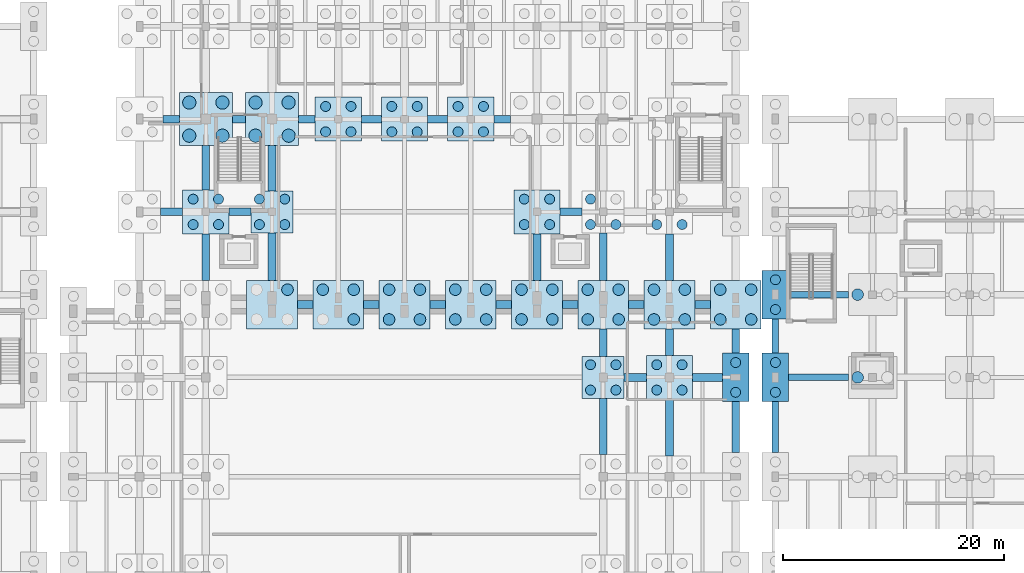
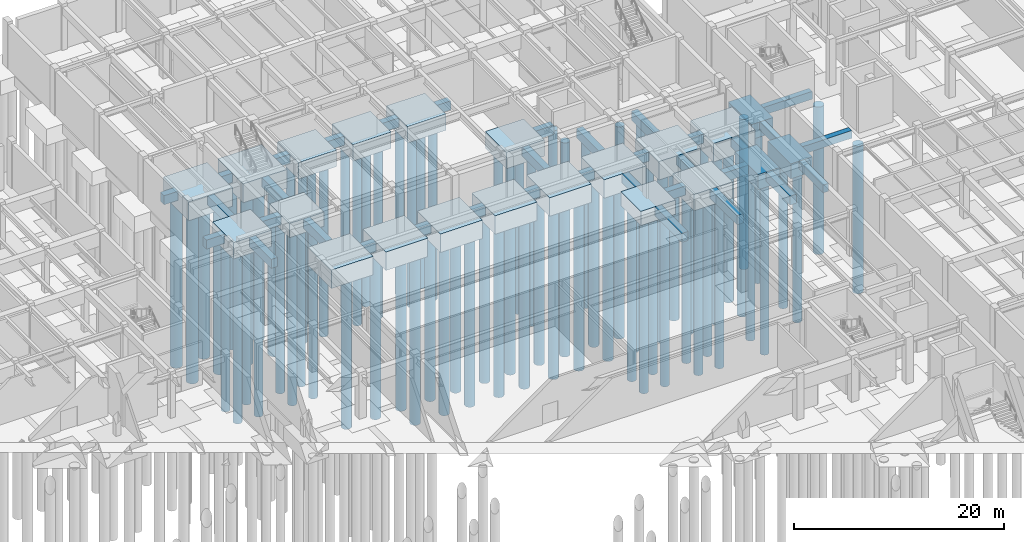
# One storey, part 7 of 69: 81 piles, 56 footings.
"""IFC4 building model written with IfcOpenShell, lengths in metres."""

from ifc_helpers import new_model, si_unit, direction, frame, origin, origin_2d, place, context, subcontext, project, spatial, rectangle, circle, extrude, material, material_profile, profile_set, type_object, element, save


model = new_model("IFC4")

# Units and contexts
model_context = context("Model", 3, precision=1e-05, world=origin(), true_north=direction((0.0, 1.0)))
body_context = subcontext(model_context, "Body", "Model", "MODEL_VIEW")
ifc_project = project(units=[si_unit("LENGTHUNIT", "METRE"), si_unit("AREAUNIT", "SQUARE_METRE"), si_unit("VOLUMEUNIT", "CUBIC_METRE"), si_unit("PLANEANGLEUNIT", "RADIAN"), si_unit("MASSUNIT", "GRAM", prefix="KILO")], contexts=[model_context])

# Site, building, storey
site_placement = place(None, origin())
site = spatial("IfcSite", under=ifc_project, at=site_placement, CompositionType="ELEMENT")
building_placement = place(site_placement, origin())
building = spatial("IfcBuilding", under=site, at=building_placement, Name="Vaelkrest Opera House", CompositionType="ELEMENT")
storey_placement = place(building_placement, frame((0.0, 0.0, -5.39990234375)))
storey = spatial("IfcBuildingStorey", under=building, at=storey_placement, Name="B1", CompositionType="ELEMENT", Elevation=-5.39990234375)

# Footings
ifc_material = material(Name="Concrete C40/50", Category="concrete")
footing_type_1 = type_object("IfcFootingType", Name="FB01", PredefinedType="FOOTING_BEAM", material=ifc_material)
for number, where, z_axis, x_axis, name in (
    (1, (37.5, 10.199951171875, -0.900146484375), (0.0, 0.0, 1.0), (1.0, 0.0, 0.0), "Footing tie beam FT-GB-0317"),
    (2, (37.5, 17.699951171875, -0.900146484375), (0.0, 0.0, 1.0), (1.0, 0.0, 0.0), "Footing tie beam FT-GB-0321"),
):
    element("IfcFooting", number, at=place(storey_placement, frame(where, z_axis=z_axis, x_axis=x_axis)), inside=storey, type_object=footing_type_1, Name=name, PredefinedType="FOOTING_BEAM", context=body_context, shape_type="SweptSolid", body=[
        extrude(rectangle(XDim=5.39990234375, YDim=0.60009765625, at=origin_2d()), origin(), (0.0, 0.0, 1.0), 0.89990234375),
    ])
footing_1_placement = place(storey_placement, frame((33.60009765625, 5.699951171875, -0.900146484375), z_axis=(0.0, 0.0, 1.0), x_axis=(0.0, 1.0, 0.0)))
element("IfcFooting", 3, at=footing_1_placement, inside=storey, type_object=footing_type_1, Name="Footing tie beam FT-GB-0343", PredefinedType="FOOTING_BEAM", context=body_context, shape_type="SweptSolid", body=[
    extrude(rectangle(XDim=4.60009765625, YDim=0.60009765625, at=origin_2d()), origin(), (0.0, 0.0, 1.0), 0.89990234375),
])
footing_2_placement = place(storey_placement, frame((33.60009765625, 13.949951171875, -0.900146484375), z_axis=(0.0, 0.0, 1.0), x_axis=(0.0, 1.0, 0.0)))
element("IfcFooting", 4, at=footing_2_placement, inside=storey, type_object=footing_type_1, Name="Footing tie beam FT-GB-0344", PredefinedType="FOOTING_BEAM", context=body_context, shape_type="SweptSolid", body=[
    extrude(rectangle(XDim=3.10009765625, YDim=0.60009765625, at=origin_2d()), origin(), (0.0, 0.0, 1.0), 0.89990234375),
])
footing_type_2 = type_object("IfcFootingType", Name="FB02", PredefinedType="FOOTING_BEAM", material=ifc_material)
footing_3_placement = place(storey_placement, frame((20.89990234375, 10.199951171875, -1.05029296875), z_axis=(0.0, 0.0, 1.0), x_axis=(1.0, 0.0, 0.0)))
element("IfcFooting", 5, at=footing_3_placement, inside=storey, type_object=footing_type_2, Name="Footing tie beam FT-GB-0045", PredefinedType="FOOTING_BEAM", context=body_context, shape_type="SweptSolid", body=[
    extrude(rectangle(XDim=2.0, YDim=0.699951171875, at=origin_2d()), origin(), (0.0, 0.0, 1.0), 1.050048828125),
])
footing_4_placement = place(storey_placement, frame((27.449951171875, 10.199951171875, -1.05029296875), z_axis=(0.0, 0.0, 1.0), x_axis=(1.0, 0.0, 0.0)))
element("IfcFooting", 6, at=footing_4_placement, inside=storey, type_object=footing_type_2, Name="Footing tie beam FT-GB-0046", PredefinedType="FOOTING_BEAM", context=body_context, shape_type="SweptSolid", body=[
    extrude(rectangle(XDim=2.699951171875, YDim=0.699951171875, at=origin_2d()), origin(), (0.0, 0.0, 1.0), 1.050048828125),
])
for number, where, z_axis, x_axis, name in (
    (7, (-9.0, 16.800048828125, -1.05029296875), (0.0, 0.0, 1.0), (1.0, 0.0, 0.0), "Footing tie beam FT-GB-0049"),
    (8, (-3.0, 16.800048828125, -1.05029296875), (0.0, 0.0, 1.0), (1.0, 0.0, 0.0), "Footing tie beam FT-GB-0050"),
    (9, (3.0, 16.800048828125, -1.05029296875), (0.0, 0.0, 1.0), (1.0, 0.0, 0.0), "Footing tie beam FT-GB-0051"),
    (10, (9.0, 16.800048828125, -1.05029296875), (0.0, 0.0, 1.0), (1.0, 0.0, 0.0), "Footing tie beam FT-GB-0052"),
    (11, (15.0, 16.800048828125, -1.05029296875), (0.0, 0.0, 1.0), (1.0, 0.0, 0.0), "Footing tie beam FT-GB-0053"),
    (12, (21.0, 16.800048828125, -1.05029296875), (0.0, 0.0, 1.0), (1.0, 0.0, 0.0), "Footing tie beam FT-GB-0054"),
    (13, (27.0, 16.800048828125, -1.05029296875), (0.0, 0.0, 1.0), (1.0, 0.0, 0.0), "Footing tie beam FT-GB-0055"),
):
    element("IfcFooting", number, at=place(storey_placement, frame(where, z_axis=z_axis, x_axis=x_axis)), inside=storey, type_object=footing_type_2, Name=name, PredefinedType="FOOTING_BEAM", context=body_context, shape_type="SweptSolid", body=[
        extrude(rectangle(XDim=1.39990234375, YDim=0.699951171875, at=origin_2d()), origin(), (0.0, 0.0, 1.0), 1.050048828125),
    ])
footing_5_placement = place(storey_placement, frame((18.0, 5.75, -1.05029296875), z_axis=(0.0, 0.0, 1.0), x_axis=(0.0, 1.0, 0.0)))
element("IfcFooting", 14, at=footing_5_placement, inside=storey, type_object=footing_type_2, Name="Footing tie beam FT-GB-0089", PredefinedType="FOOTING_BEAM", context=body_context, shape_type="SweptSolid", body=[
    extrude(rectangle(XDim=5.10009765625, YDim=0.699951171875, at=origin_2d()), origin(), (0.0, 0.0, 1.0), 1.050048828125),
])
footing_6_placement = place(storey_placement, frame((18.0, 13.35009765625, -1.05029296875), z_axis=(0.0, 0.0, 1.0), x_axis=(0.0, 1.0, 0.0)))
element("IfcFooting", 15, at=footing_6_placement, inside=storey, type_object=footing_type_2, Name="Footing tie beam FT-GB-0090", PredefinedType="FOOTING_BEAM", context=body_context, shape_type="SweptSolid", body=[
    extrude(rectangle(XDim=2.5, YDim=0.699951171875, at=origin_2d()), origin(), (0.0, 0.0, 1.0), 1.050048828125),
])
footing_7_placement = place(storey_placement, frame((24.0, 5.64990234375, -1.05029296875), z_axis=(0.0, 0.0, 1.0), x_axis=(0.0, 1.0, 0.0)))
element("IfcFooting", 16, at=footing_7_placement, inside=storey, type_object=footing_type_2, Name="Footing tie beam FT-GB-0094", PredefinedType="FOOTING_BEAM", context=body_context, shape_type="SweptSolid", body=[
    extrude(rectangle(XDim=5.10009765625, YDim=0.699951171875, at=origin_2d()), origin(), (0.0, 0.0, 1.0), 1.050048828125),
])
footing_8_placement = place(storey_placement, frame((24.0, 13.39990234375, -1.05029296875), z_axis=(0.0, 0.0, 1.0), x_axis=(0.0, 1.0, 0.0)))
element("IfcFooting", 17, at=footing_8_placement, inside=storey, type_object=footing_type_2, Name="Footing tie beam FT-GB-0095", PredefinedType="FOOTING_BEAM", context=body_context, shape_type="SweptSolid", body=[
    extrude(rectangle(XDim=2.39990234375, YDim=0.699951171875, at=origin_2d()), origin(), (0.0, 0.0, 1.0), 1.050048828125),
])
footing_9_placement = place(storey_placement, frame((30.0, 5.699951171875, -1.05029296875), z_axis=(0.0, 0.0, 1.0), x_axis=(0.0, 1.0, 0.0)))
element("IfcFooting", 18, at=footing_9_placement, inside=storey, type_object=footing_type_2, Name="Footing tie beam FT-GB-0102", PredefinedType="FOOTING_BEAM", context=body_context, shape_type="SweptSolid", body=[
    extrude(rectangle(XDim=4.60009765625, YDim=0.699951171875, at=origin_2d()), origin(), (0.0, 0.0, 1.0), 1.050048828125),
])
footing_10_placement = place(storey_placement, frame((30.0, 13.5, -1.05029296875), z_axis=(0.0, 0.0, 1.0), x_axis=(0.0, 1.0, 0.0)))
element("IfcFooting", 19, at=footing_10_placement, inside=storey, type_object=footing_type_2, Name="Footing tie beam FT-GB-0103", PredefinedType="FOOTING_BEAM", context=body_context, shape_type="SweptSolid", body=[
    extrude(rectangle(XDim=2.199951171875, YDim=0.699951171875, at=origin_2d()), origin(), (0.0, 0.0, 1.0), 1.050048828125),
])
for number, where, z_axis, x_axis, name in (
    (20, (-21.10009765625, 25.199951171875, -1.05029296875), (0.0, 0.0, 1.0), (1.0, 0.0, 0.0), "Footing tie beam FT-GB-0104"),
    (21, (-14.89990234375, 25.199951171875, -1.05029296875), (0.0, 0.0, 1.0), (1.0, 0.0, 0.0), "Footing tie beam FT-GB-0105"),
    (22, (15.10009765625, 25.199951171875, -1.05029296875), (0.0, 0.0, 1.0), (1.0, 0.0, 0.0), "Footing tie beam FT-GB-0106"),
):
    element("IfcFooting", number, at=place(storey_placement, frame(where, z_axis=z_axis, x_axis=x_axis)), inside=storey, type_object=footing_type_2, Name=name, PredefinedType="FOOTING_BEAM", context=body_context, shape_type="SweptSolid", body=[
        extrude(rectangle(XDim=2.0, YDim=0.699951171875, at=origin_2d()), origin(), (0.0, 0.0, 1.0), 1.050048828125),
    ])
footing_11_placement = place(storey_placement, frame((-21.14990234375, 33.60009765625, -1.05029296875), z_axis=(0.0, 0.0, 1.0), x_axis=(1.0, 0.0, 0.0)))
element("IfcFooting", 23, at=footing_11_placement, inside=storey, type_object=footing_type_2, Name="Footing tie beam FT-GB-0109", PredefinedType="FOOTING_BEAM", context=body_context, shape_type="SweptSolid", body=[
    extrude(rectangle(XDim=1.5, YDim=0.699951171875, at=origin_2d()), origin(), (0.0, 0.0, 1.0), 1.050048828125),
])
footing_12_placement = place(storey_placement, frame((-15.0, 33.60009765625, -1.05029296875), z_axis=(0.0, 0.0, 1.0), x_axis=(1.0, 0.0, 0.0)))
element("IfcFooting", 24, at=footing_12_placement, inside=storey, type_object=footing_type_2, Name="Footing tie beam FT-GB-0110", PredefinedType="FOOTING_BEAM", context=body_context, shape_type="SweptSolid", body=[
    extrude(rectangle(XDim=1.199951171875, YDim=0.699951171875, at=origin_2d()), origin(), (0.0, 0.0, 1.0), 1.050048828125),
])
footing_13_placement = place(storey_placement, frame((-8.85009765625, 33.60009765625, -1.05029296875), z_axis=(0.0, 0.0, 1.0), x_axis=(1.0, 0.0, 0.0)))
element("IfcFooting", 25, at=footing_13_placement, inside=storey, type_object=footing_type_2, Name="Footing tie beam FT-GB-0111", PredefinedType="FOOTING_BEAM", context=body_context, shape_type="SweptSolid", body=[
    extrude(rectangle(XDim=1.5, YDim=0.699951171875, at=origin_2d()), origin(), (0.0, 0.0, 1.0), 1.050048828125),
])
for number, where, z_axis, x_axis, name in (
    (26, (-3.0, 33.60009765625, -1.05029296875), (0.0, 0.0, 1.0), (1.0, 0.0, 0.0), "Footing tie beam FT-GB-0112"),
    (27, (3.0, 33.60009765625, -1.05029296875), (0.0, 0.0, 1.0), (1.0, 0.0, 0.0), "Footing tie beam FT-GB-0113"),
):
    element("IfcFooting", number, at=place(storey_placement, frame(where, z_axis=z_axis, x_axis=x_axis)), inside=storey, type_object=footing_type_2, Name=name, PredefinedType="FOOTING_BEAM", context=body_context, shape_type="SweptSolid", body=[
        extrude(rectangle(XDim=1.800048828125, YDim=0.699951171875, at=origin_2d()), origin(), (0.0, 0.0, 1.0), 1.050048828125),
    ])
footing_14_placement = place(storey_placement, frame((8.85009765625, 33.60009765625, -1.05029296875), z_axis=(0.0, 0.0, 1.0), x_axis=(1.0, 0.0, 0.0)))
element("IfcFooting", 28, at=footing_14_placement, inside=storey, type_object=footing_type_2, Name="Footing tie beam FT-GB-0114", PredefinedType="FOOTING_BEAM", context=body_context, shape_type="SweptSolid", body=[
    extrude(rectangle(XDim=1.5, YDim=0.699951171875, at=origin_2d()), origin(), (0.0, 0.0, 1.0), 1.050048828125),
])
footing_15_placement = place(storey_placement, frame((-18.0, 21.10009765625, -1.05029296875), z_axis=(0.0, 0.0, 1.0), x_axis=(0.0, 1.0, 0.0)))
element("IfcFooting", 29, at=footing_15_placement, inside=storey, type_object=footing_type_2, Name="Footing tie beam FT-GB-0150", PredefinedType="FOOTING_BEAM", context=body_context, shape_type="SweptSolid", body=[
    extrude(rectangle(XDim=4.199951171875, YDim=0.699951171875, at=origin_2d()), origin(), (0.0, 0.0, 1.0), 1.050048828125),
])
footing_16_placement = place(storey_placement, frame((-18.0, 29.199951171875, -1.05029296875), z_axis=(0.0, 0.0, 1.0), x_axis=(0.0, 1.0, 0.0)))
element("IfcFooting", 30, at=footing_16_placement, inside=storey, type_object=footing_type_2, Name="Footing tie beam FT-GB-0151", PredefinedType="FOOTING_BEAM", context=body_context, shape_type="SweptSolid", body=[
    extrude(rectangle(XDim=4.0, YDim=0.699951171875, at=origin_2d()), origin(), (0.0, 0.0, 1.0), 1.050048828125),
])
footing_17_placement = place(storey_placement, frame((-12.0, 21.14990234375, -1.05029296875), z_axis=(0.0, 0.0, 1.0), x_axis=(0.0, 1.0, 0.0)))
element("IfcFooting", 31, at=footing_17_placement, inside=storey, type_object=footing_type_2, Name="Footing tie beam FT-GB-0155", PredefinedType="FOOTING_BEAM", context=body_context, shape_type="SweptSolid", body=[
    extrude(rectangle(XDim=4.300048828125, YDim=0.699951171875, at=origin_2d()), origin(), (0.0, 0.0, 1.0), 1.050048828125),
])
footing_18_placement = place(storey_placement, frame((-12.0, 29.14990234375, -1.05029296875), z_axis=(0.0, 0.0, 1.0), x_axis=(0.0, 1.0, 0.0)))
element("IfcFooting", 32, at=footing_18_placement, inside=storey, type_object=footing_type_2, Name="Footing tie beam FT-GB-0156", PredefinedType="FOOTING_BEAM", context=body_context, shape_type="SweptSolid", body=[
    extrude(rectangle(XDim=4.10009765625, YDim=0.699951171875, at=origin_2d()), origin(), (0.0, 0.0, 1.0), 1.050048828125),
])
footing_19_placement = place(storey_placement, frame((12.0, 21.10009765625, -1.05029296875), z_axis=(0.0, 0.0, 1.0), x_axis=(0.0, 1.0, 0.0)))
element("IfcFooting", 33, at=footing_19_placement, inside=storey, type_object=footing_type_2, Name="Footing tie beam FT-GB-0169", PredefinedType="FOOTING_BEAM", context=body_context, shape_type="SweptSolid", body=[
    extrude(rectangle(XDim=4.199951171875, YDim=0.699951171875, at=origin_2d()), origin(), (0.0, 0.0, 1.0), 1.050048828125),
])
footing_20_placement = place(storey_placement, frame((18.0, 21.14990234375, -1.05029296875), z_axis=(0.0, 0.0, 1.0), x_axis=(0.0, 1.0, 0.0)))
element("IfcFooting", 34, at=footing_20_placement, inside=storey, type_object=footing_type_2, Name="Footing tie beam FT-GB-0174", PredefinedType="FOOTING_BEAM", context=body_context, shape_type="SweptSolid", body=[
    extrude(rectangle(XDim=4.300048828125, YDim=0.699951171875, at=origin_2d()), origin(), (0.0, 0.0, 1.0), 1.050048828125),
])
footing_21_placement = place(storey_placement, frame((24.0, 21.10009765625, -1.05029296875), z_axis=(0.0, 0.0, 1.0), x_axis=(0.0, 1.0, 0.0)))
element("IfcFooting", 35, at=footing_21_placement, inside=storey, type_object=footing_type_2, Name="Footing tie beam FT-GB-0179", PredefinedType="FOOTING_BEAM", context=body_context, shape_type="SweptSolid", body=[
    extrude(rectangle(XDim=4.199951171875, YDim=0.699951171875, at=origin_2d()), origin(), (0.0, 0.0, 1.0), 1.050048828125),
])
footing_type_3 = type_object("IfcFootingType", Name="PC02", PredefinedType="PILE_CAP", material=ifc_material)
for number, where, z_axis, x_axis, name in (
    (36, (18.0, 10.199951171875, -1.650146484375), (0.0, 0.0, 1.0), (1.0, 0.0, 0.0), "Pile cap FT-CAP-052"),
    (37, (-12.0, 25.199951171875, -1.650146484375), (0.0, 0.0, 1.0), (1.0, 0.0, 0.0), "Pile cap FT-CAP-080"),
):
    element("IfcFooting", number, at=place(storey_placement, frame(where, z_axis=z_axis, x_axis=x_axis)), inside=storey, type_object=footing_type_3, Name=name, PredefinedType="PILE_CAP", context=body_context, shape_type="SweptSolid", body=[
        extrude(rectangle(XDim=3.800048828125, YDim=3.800048828125, at=origin_2d()), origin(), (0.0, 0.0, 1.0), 1.64990234375),
    ])
footing_type_4 = type_object("IfcFootingType", Name="PC04", PredefinedType="PILE_CAP", material=ifc_material)
for number, where, z_axis, x_axis, name in (
    (38, (24.0, 10.199951171875, -1.900146484375), (0.0, 0.0, 1.0), (1.0, 0.0, 0.0), "Pile cap FT-CAP-059"),
    (39, (-18.0, 25.199951171875, -1.900146484375), (0.0, 0.0, 1.0), (1.0, 0.0, 0.0), "Pile cap FT-CAP-075"),
    (40, (-6.0, 33.60009765625, -1.900146484375), (0.0, 0.0, 1.0), (1.0, 0.0, 0.0), "Pile cap FT-CAP-085"),
    (41, (0.0, 33.60009765625, -1.900146484375), (0.0, 0.0, 1.0), (1.0, 0.0, 0.0), "Pile cap FT-CAP-089"),
    (42, (6.0, 33.60009765625, -1.900146484375), (0.0, 0.0, 1.0), (1.0, 0.0, 0.0), "Pile cap FT-CAP-093"),
    (43, (12.0, 25.199951171875, -1.900146484375), (0.0, 0.0, 1.0), (1.0, 0.0, 0.0), "Pile cap FT-CAP-097"),
):
    element("IfcFooting", number, at=place(storey_placement, frame(where, z_axis=z_axis, x_axis=x_axis)), inside=storey, type_object=footing_type_4, Name=name, PredefinedType="PILE_CAP", context=body_context, shape_type="SweptSolid", body=[
        extrude(rectangle(XDim=4.199951171875, YDim=4.0, at=origin_2d()), origin(), (0.0, 0.0, 1.0), 1.89990234375),
    ])
footing_type_5 = type_object("IfcFootingType", Name="PC06", PredefinedType="PILE_CAP", material=ifc_material)
for number, where, z_axis, x_axis, name in (
    (44, (-18.0, 33.60009765625, -2.2001953125), (0.0, 0.0, 1.0), (1.0, 0.0, 0.0), "Pile cap FT-CAP-076"),
    (45, (-12.0, 33.60009765625, -2.2001953125), (0.0, 0.0, 1.0), (1.0, 0.0, 0.0), "Pile cap FT-CAP-081"),
):
    element("IfcFooting", number, at=place(storey_placement, frame(where, z_axis=z_axis, x_axis=x_axis)), inside=storey, type_object=footing_type_5, Name=name, PredefinedType="PILE_CAP", context=body_context, shape_type="SweptSolid", body=[
        extrude(rectangle(XDim=4.800048828125, YDim=4.800048828125, at=origin_2d()), origin(), (0.0, 0.0, 1.0), 2.199951171875),
    ])
footing_type_6 = type_object("IfcFootingType", Name="PC07", PredefinedType="PILE_CAP", material=ifc_material)
for number, where, z_axis, x_axis, name in (
    (46, (-12.0, 16.800048828125, -2.150146484375), (0.0, 0.0, 1.0), (1.0, 0.0, 0.0), "Combined proscenium pile cap FT-CAP-028"),
    (47, (-6.0, 16.800048828125, -2.150146484375), (0.0, 0.0, 1.0), (1.0, 0.0, 0.0), "Combined proscenium pile cap FT-CAP-033"),
    (48, (0.0, 16.800048828125, -2.150146484375), (0.0, 0.0, 1.0), (1.0, 0.0, 0.0), "Combined proscenium pile cap FT-CAP-036"),
    (49, (6.0, 16.800048828125, -2.150146484375), (0.0, 0.0, 1.0), (1.0, 0.0, 0.0), "Combined proscenium pile cap FT-CAP-041"),
    (50, (12.0, 16.800048828125, -2.150146484375), (0.0, 0.0, 1.0), (1.0, 0.0, 0.0), "Combined proscenium pile cap FT-CAP-044"),
    (51, (18.0, 16.800048828125, -2.150146484375), (0.0, 0.0, 1.0), (1.0, 0.0, 0.0), "Combined proscenium pile cap FT-CAP-053"),
    (52, (24.0, 16.800048828125, -2.150146484375), (0.0, 0.0, 1.0), (1.0, 0.0, 0.0), "Combined proscenium pile cap FT-CAP-060"),
    (53, (30.0, 16.800048828125, -2.150146484375), (0.0, 0.0, 1.0), (1.0, 0.0, 0.0), "Combined proscenium pile cap FT-CAP-069"),
):
    element("IfcFooting", number, at=place(storey_placement, frame(where, z_axis=z_axis, x_axis=x_axis)), inside=storey, type_object=footing_type_6, Name=name, PredefinedType="PILE_CAP", context=body_context, shape_type="SweptSolid", body=[
        extrude(rectangle(XDim=4.60009765625, YDim=4.39990234375, at=origin_2d()), origin(), (0.0, 0.0, 1.0), 2.14990234375),
    ])
footing_type_7 = type_object("IfcFootingType", Name="PC08", PredefinedType="PILE_CAP", material=ifc_material)
for number, where, z_axis, x_axis, name in (
    (54, (30.0, 10.199951171875, -1.75), (0.0, 0.0, 1.0), (1.0, 0.0, 0.0), "Pile cap FT-CAP-068"),
    (55, (33.60009765625, 10.199951171875, -1.75), (0.0, 0.0, 1.0), (1.0, 0.0, 0.0), "Pile cap FT-CAP-182"),
    (56, (33.60009765625, 17.699951171875, -1.75), (0.0, 0.0, 1.0), (1.0, 0.0, 0.0), "Pile cap FT-CAP-183"),
):
    element("IfcFooting", number, at=place(storey_placement, frame(where, z_axis=z_axis, x_axis=x_axis)), inside=storey, type_object=footing_type_7, Name=name, PredefinedType="PILE_CAP", context=body_context, shape_type="SweptSolid", body=[
        extrude(rectangle(XDim=2.39990234375, YDim=4.39990234375, at=origin_2d()), origin(), (0.0, 0.0, 1.0), 1.75),
    ])

# Piles
ifc_material_profile_1 = material_profile(ifc_material, circle(Radius=0.449951171875, at=origin_2d()), Name="PILE900")
ifc_profile_set_1 = profile_set([ifc_material_profile_1], Name="Concrete C40/50")
pile_type_1 = type_object("IfcPileType", Name="PL01", PredefinedType="BORED", material=ifc_profile_set_1)
for number, where, z_axis, x_axis, name in (
    (57, (16.85009765625, 9.050048828125, -1.550048828125), (0.0, 0.0, -1.0), (1.0, 0.0, 0.0), "Bored pile PL-0187"),
    (58, (19.14990234375, 9.050048828125, -1.550048828125), (0.0, 0.0, -1.0), (1.0, 0.0, 0.0), "Bored pile PL-0188"),
    (59, (16.85009765625, 11.35009765625, -1.550048828125), (0.0, 0.0, -1.0), (1.0, 0.0, 0.0), "Bored pile PL-0189"),
    (60, (19.14990234375, 11.35009765625, -1.550048828125), (0.0, 0.0, -1.0), (1.0, 0.0, 0.0), "Bored pile PL-0190"),
):
    element("IfcPile", number, at=place(storey_placement, frame(where, z_axis=z_axis, x_axis=x_axis)), inside=storey, type_object=pile_type_1, Name=name, PredefinedType="BORED", context=body_context, shape_type="SweptSolid", body=[
        extrude(circle(Radius=0.449951171875, at=origin_2d()), origin(), (0.0, 0.0, 1.0), 20.050048828125),
    ])
for number, where, z_axis, x_axis, name in (
    (61, (22.85009765625, 9.050048828125, -1.800048828125), (0.0, 0.0, -1.0), (1.0, 0.0, 0.0), "Bored pile PL-0215"),
    (62, (25.14990234375, 9.050048828125, -1.800048828125), (0.0, 0.0, -1.0), (1.0, 0.0, 0.0), "Bored pile PL-0216"),
    (63, (22.85009765625, 11.35009765625, -1.800048828125), (0.0, 0.0, -1.0), (1.0, 0.0, 0.0), "Bored pile PL-0217"),
    (64, (25.14990234375, 11.35009765625, -1.800048828125), (0.0, 0.0, -1.0), (1.0, 0.0, 0.0), "Bored pile PL-0218"),
):
    element("IfcPile", number, at=place(storey_placement, frame(where, z_axis=z_axis, x_axis=x_axis)), inside=storey, type_object=pile_type_1, Name=name, PredefinedType="BORED", context=body_context, shape_type="SweptSolid", body=[
        extrude(circle(Radius=0.449951171875, at=origin_2d()), origin(), (0.0, 0.0, 1.0), 19.800048828125),
    ])
for number, where, z_axis, x_axis, name in (
    (65, (30.0, 8.85009765625, -1.650146484375), (0.0, 0.0, -1.0), (1.0, 0.0, 0.0), "Bored pile PL-0237"),
    (66, (30.0, 11.550048828125, -1.650146484375), (0.0, 0.0, -1.0), (1.0, 0.0, 0.0), "Bored pile PL-0238"),
):
    element("IfcPile", number, at=place(storey_placement, frame(where, z_axis=z_axis, x_axis=x_axis)), inside=storey, type_object=pile_type_1, Name=name, PredefinedType="BORED", context=body_context, shape_type="SweptSolid", body=[
        extrude(circle(Radius=0.449951171875, at=origin_2d()), origin(), (0.0, 0.0, 1.0), 19.949951171875),
    ])
for number, where, z_axis, x_axis, name in (
    (67, (-19.14990234375, 24.050048828125, -1.800048828125), (0.0, 0.0, -1.0), (1.0, 0.0, 0.0), "Bored pile PL-0263"),
    (68, (-16.85009765625, 24.050048828125, -1.800048828125), (0.0, 0.0, -1.0), (1.0, 0.0, 0.0), "Bored pile PL-0264"),
    (69, (-19.14990234375, 26.35009765625, -1.800048828125), (0.0, 0.0, -1.0), (1.0, 0.0, 0.0), "Bored pile PL-0265"),
    (70, (-16.85009765625, 26.35009765625, -1.800048828125), (0.0, 0.0, -1.0), (1.0, 0.0, 0.0), "Bored pile PL-0266"),
):
    element("IfcPile", number, at=place(storey_placement, frame(where, z_axis=z_axis, x_axis=x_axis)), inside=storey, type_object=pile_type_1, Name=name, PredefinedType="BORED", context=body_context, shape_type="SweptSolid", body=[
        extrude(circle(Radius=0.449951171875, at=origin_2d()), origin(), (0.0, 0.0, 1.0), 19.800048828125),
    ])
for number, where, z_axis, x_axis, name in (
    (71, (-13.14990234375, 24.050048828125, -1.550048828125), (0.0, 0.0, -1.0), (1.0, 0.0, 0.0), "Bored pile PL-0283"),
    (72, (-10.85009765625, 24.050048828125, -1.550048828125), (0.0, 0.0, -1.0), (1.0, 0.0, 0.0), "Bored pile PL-0284"),
    (73, (-13.14990234375, 26.35009765625, -1.550048828125), (0.0, 0.0, -1.0), (1.0, 0.0, 0.0), "Bored pile PL-0285"),
    (74, (-10.85009765625, 26.35009765625, -1.550048828125), (0.0, 0.0, -1.0), (1.0, 0.0, 0.0), "Bored pile PL-0286"),
):
    element("IfcPile", number, at=place(storey_placement, frame(where, z_axis=z_axis, x_axis=x_axis)), inside=storey, type_object=pile_type_1, Name=name, PredefinedType="BORED", context=body_context, shape_type="SweptSolid", body=[
        extrude(circle(Radius=0.449951171875, at=origin_2d()), origin(), (0.0, 0.0, 1.0), 20.050048828125),
    ])
for number, where, z_axis, x_axis, name in (
    (75, (-7.14990234375, 32.449951171875, -1.800048828125), (0.0, 0.0, -1.0), (1.0, 0.0, 0.0), "Bored pile PL-0303"),
    (76, (-4.85009765625, 32.449951171875, -1.800048828125), (0.0, 0.0, -1.0), (1.0, 0.0, 0.0), "Bored pile PL-0304"),
    (77, (-7.14990234375, 34.75, -1.800048828125), (0.0, 0.0, -1.0), (1.0, 0.0, 0.0), "Bored pile PL-0305"),
    (78, (-4.85009765625, 34.75, -1.800048828125), (0.0, 0.0, -1.0), (1.0, 0.0, 0.0), "Bored pile PL-0306"),
    (79, (-1.14990234375, 32.449951171875, -1.800048828125), (0.0, 0.0, -1.0), (1.0, 0.0, 0.0), "Bored pile PL-0319"),
    (80, (1.14990234375, 32.449951171875, -1.800048828125), (0.0, 0.0, -1.0), (1.0, 0.0, 0.0), "Bored pile PL-0320"),
    (81, (-1.14990234375, 34.75, -1.800048828125), (0.0, 0.0, -1.0), (1.0, 0.0, 0.0), "Bored pile PL-0321"),
    (82, (1.14990234375, 34.75, -1.800048828125), (0.0, 0.0, -1.0), (1.0, 0.0, 0.0), "Bored pile PL-0322"),
    (83, (4.85009765625, 32.449951171875, -1.800048828125), (0.0, 0.0, -1.0), (1.0, 0.0, 0.0), "Bored pile PL-0335"),
    (84, (7.14990234375, 32.449951171875, -1.800048828125), (0.0, 0.0, -1.0), (1.0, 0.0, 0.0), "Bored pile PL-0336"),
    (85, (4.85009765625, 34.75, -1.800048828125), (0.0, 0.0, -1.0), (1.0, 0.0, 0.0), "Bored pile PL-0337"),
    (86, (7.14990234375, 34.75, -1.800048828125), (0.0, 0.0, -1.0), (1.0, 0.0, 0.0), "Bored pile PL-0338"),
    (87, (10.85009765625, 24.050048828125, -1.800048828125), (0.0, 0.0, -1.0), (1.0, 0.0, 0.0), "Bored pile PL-0351"),
    (88, (13.14990234375, 24.050048828125, -1.800048828125), (0.0, 0.0, -1.0), (1.0, 0.0, 0.0), "Bored pile PL-0352"),
    (89, (10.85009765625, 26.35009765625, -1.800048828125), (0.0, 0.0, -1.0), (1.0, 0.0, 0.0), "Bored pile PL-0353"),
    (90, (13.14990234375, 26.35009765625, -1.800048828125), (0.0, 0.0, -1.0), (1.0, 0.0, 0.0), "Bored pile PL-0354"),
):
    element("IfcPile", number, at=place(storey_placement, frame(where, z_axis=z_axis, x_axis=x_axis)), inside=storey, type_object=pile_type_1, Name=name, PredefinedType="BORED", context=body_context, shape_type="SweptSolid", body=[
        extrude(circle(Radius=0.449951171875, at=origin_2d()), origin(), (0.0, 0.0, 1.0), 19.800048828125),
    ])
for number, where, z_axis, x_axis, name in (
    (91, (16.85009765625, 24.050048828125, -1.550048828125), (0.0, 0.0, -1.0), (1.0, 0.0, 0.0), "Bored pile PL-0371"),
    (92, (19.14990234375, 24.050048828125, -1.550048828125), (0.0, 0.0, -1.0), (1.0, 0.0, 0.0), "Bored pile PL-0372"),
    (93, (16.85009765625, 26.35009765625, -1.550048828125), (0.0, 0.0, -1.0), (1.0, 0.0, 0.0), "Bored pile PL-0373"),
):
    element("IfcPile", number, at=place(storey_placement, frame(where, z_axis=z_axis, x_axis=x_axis)), inside=storey, type_object=pile_type_1, Name=name, PredefinedType="BORED", context=body_context, shape_type="SweptSolid", body=[
        extrude(circle(Radius=0.449951171875, at=origin_2d()), origin(), (0.0, 0.0, 1.0), 20.050048828125),
    ])
for number, where, z_axis, x_axis, name in (
    (94, (22.85009765625, 24.050048828125, -1.800048828125), (0.0, 0.0, -1.0), (1.0, 0.0, 0.0), "Bored pile PL-0391"),
    (95, (25.14990234375, 24.050048828125, -1.800048828125), (0.0, 0.0, -1.0), (1.0, 0.0, 0.0), "Bored pile PL-0392"),
):
    element("IfcPile", number, at=place(storey_placement, frame(where, z_axis=z_axis, x_axis=x_axis)), inside=storey, type_object=pile_type_1, Name=name, PredefinedType="BORED", context=body_context, shape_type="SweptSolid", body=[
        extrude(circle(Radius=0.449951171875, at=origin_2d()), origin(), (0.0, 0.0, 1.0), 19.800048828125),
    ])
for number, where, z_axis, x_axis, name in (
    (96, (33.60009765625, 8.85009765625, -1.650146484375), (0.0, 0.0, -1.0), (1.0, 0.0, 0.0), "Bored pile PL-0551"),
    (97, (33.60009765625, 11.550048828125, -1.650146484375), (0.0, 0.0, -1.0), (1.0, 0.0, 0.0), "Bored pile PL-0552"),
    (98, (33.60009765625, 16.35009765625, -1.650146484375), (0.0, 0.0, -1.0), (1.0, 0.0, 0.0), "Bored pile PL-0553"),
    (99, (33.60009765625, 19.050048828125, -1.650146484375), (0.0, 0.0, -1.0), (1.0, 0.0, 0.0), "Bored pile PL-0554"),
):
    element("IfcPile", number, at=place(storey_placement, frame(where, z_axis=z_axis, x_axis=x_axis)), inside=storey, type_object=pile_type_1, Name=name, PredefinedType="BORED", context=body_context, shape_type="SweptSolid", body=[
        extrude(circle(Radius=0.449951171875, at=origin_2d()), origin(), (0.0, 0.0, 1.0), 17.449951171875),
    ])
ifc_material_profile_2 = material_profile(ifc_material, circle(Radius=0.52490234375, at=origin_2d()), Name="PILE1050")
ifc_profile_set_2 = profile_set([ifc_material_profile_2], Name="Concrete C40/50")
pile_type_2 = type_object("IfcPileType", Name="PL02", PredefinedType="BORED", material=ifc_profile_set_2)
for number, where, z_axis, x_axis, name in (
    (100, (-10.60009765625, 18.14990234375, -2.050048828125), (0.0, 0.0, -1.0), (1.0, 0.0, 0.0), "Bored pile PL-0094"),
    (101, (-4.60009765625, 15.449951171875, -2.050048828125), (0.0, 0.0, -1.0), (1.0, 0.0, 0.0), "Bored pile PL-0112"),
    (102, (-7.39990234375, 18.14990234375, -2.050048828125), (0.0, 0.0, -1.0), (1.0, 0.0, 0.0), "Bored pile PL-0113"),
    (103, (-4.60009765625, 18.14990234375, -2.050048828125), (0.0, 0.0, -1.0), (1.0, 0.0, 0.0), "Bored pile PL-0114"),
    (104, (-1.39990234375, 15.449951171875, -2.050048828125), (0.0, 0.0, -1.0), (1.0, 0.0, 0.0), "Bored pile PL-0123"),
    (105, (1.39990234375, 15.449951171875, -2.050048828125), (0.0, 0.0, -1.0), (1.0, 0.0, 0.0), "Bored pile PL-0124"),
    (106, (-1.39990234375, 18.14990234375, -2.050048828125), (0.0, 0.0, -1.0), (1.0, 0.0, 0.0), "Bored pile PL-0125"),
    (107, (1.39990234375, 18.14990234375, -2.050048828125), (0.0, 0.0, -1.0), (1.0, 0.0, 0.0), "Bored pile PL-0126"),
    (108, (4.60009765625, 15.449951171875, -2.050048828125), (0.0, 0.0, -1.0), (1.0, 0.0, 0.0), "Bored pile PL-0143"),
    (109, (7.39990234375, 15.449951171875, -2.050048828125), (0.0, 0.0, -1.0), (1.0, 0.0, 0.0), "Bored pile PL-0144"),
    (110, (4.60009765625, 18.14990234375, -2.050048828125), (0.0, 0.0, -1.0), (1.0, 0.0, 0.0), "Bored pile PL-0145"),
    (111, (7.39990234375, 18.14990234375, -2.050048828125), (0.0, 0.0, -1.0), (1.0, 0.0, 0.0), "Bored pile PL-0146"),
    (112, (10.60009765625, 15.449951171875, -2.050048828125), (0.0, 0.0, -1.0), (1.0, 0.0, 0.0), "Bored pile PL-0155"),
    (113, (13.39990234375, 15.449951171875, -2.050048828125), (0.0, 0.0, -1.0), (1.0, 0.0, 0.0), "Bored pile PL-0156"),
    (114, (10.60009765625, 18.14990234375, -2.050048828125), (0.0, 0.0, -1.0), (1.0, 0.0, 0.0), "Bored pile PL-0157"),
    (115, (13.39990234375, 18.14990234375, -2.050048828125), (0.0, 0.0, -1.0), (1.0, 0.0, 0.0), "Bored pile PL-0158"),
    (116, (16.60009765625, 15.449951171875, -2.050048828125), (0.0, 0.0, -1.0), (1.0, 0.0, 0.0), "Bored pile PL-0191"),
    (117, (19.39990234375, 15.449951171875, -2.050048828125), (0.0, 0.0, -1.0), (1.0, 0.0, 0.0), "Bored pile PL-0192"),
    (118, (16.60009765625, 18.14990234375, -2.050048828125), (0.0, 0.0, -1.0), (1.0, 0.0, 0.0), "Bored pile PL-0193"),
    (119, (19.39990234375, 18.14990234375, -2.050048828125), (0.0, 0.0, -1.0), (1.0, 0.0, 0.0), "Bored pile PL-0194"),
    (120, (22.60009765625, 15.449951171875, -2.050048828125), (0.0, 0.0, -1.0), (1.0, 0.0, 0.0), "Bored pile PL-0219"),
    (121, (25.39990234375, 15.449951171875, -2.050048828125), (0.0, 0.0, -1.0), (1.0, 0.0, 0.0), "Bored pile PL-0220"),
    (122, (22.60009765625, 18.14990234375, -2.050048828125), (0.0, 0.0, -1.0), (1.0, 0.0, 0.0), "Bored pile PL-0221"),
    (123, (25.39990234375, 18.14990234375, -2.050048828125), (0.0, 0.0, -1.0), (1.0, 0.0, 0.0), "Bored pile PL-0222"),
    (124, (28.60009765625, 15.449951171875, -2.050048828125), (0.0, 0.0, -1.0), (1.0, 0.0, 0.0), "Bored pile PL-0239"),
    (125, (31.39990234375, 15.449951171875, -2.050048828125), (0.0, 0.0, -1.0), (1.0, 0.0, 0.0), "Bored pile PL-0240"),
    (126, (28.60009765625, 18.14990234375, -2.050048828125), (0.0, 0.0, -1.0), (1.0, 0.0, 0.0), "Bored pile PL-0241"),
    (127, (31.39990234375, 18.14990234375, -2.050048828125), (0.0, 0.0, -1.0), (1.0, 0.0, 0.0), "Bored pile PL-0242"),
):
    element("IfcPile", number, at=place(storey_placement, frame(where, z_axis=z_axis, x_axis=x_axis)), inside=storey, type_object=pile_type_2, Name=name, PredefinedType="BORED", context=body_context, shape_type="SweptSolid", body=[
        extrude(circle(Radius=0.52490234375, at=origin_2d()), origin(), (0.0, 0.0, 1.0), 19.550048828125),
    ])
for number, where, z_axis, x_axis, name in (
    (128, (41.050048828125, 10.199951171875, -1.9501953125), (0.0, 0.0, -1.0), (1.0, 0.0, 0.0), "Bored pile PL-0569"),
    (129, (41.050048828125, 17.699951171875, -1.9501953125), (0.0, 0.0, -1.0), (1.0, 0.0, 0.0), "Bored pile PL-0571"),
):
    element("IfcPile", number, at=place(storey_placement, frame(where, z_axis=z_axis, x_axis=x_axis)), inside=storey, type_object=pile_type_2, Name=name, PredefinedType="BORED", context=body_context, shape_type="SweptSolid", body=[
        extrude(circle(Radius=0.52490234375, at=origin_2d()), origin(), (0.0, 0.0, 1.0), 17.14990234375),
    ])
ifc_material_profile_3 = material_profile(ifc_material, circle(Radius=0.60009765625, at=origin_2d()), Name="PILE1200")
ifc_profile_set_3 = profile_set([ifc_material_profile_3], Name="Concrete C40/50")
pile_type_3 = type_object("IfcPileType", Name="PL03", PredefinedType="BORED", material=ifc_profile_set_3)
for number, where, z_axis, x_axis, name in (
    (130, (-19.5, 32.10009765625, -2.10009765625), (0.0, 0.0, -1.0), (1.0, 0.0, 0.0), "Bored pile PL-0267"),
    (131, (-16.5, 32.10009765625, -2.10009765625), (0.0, 0.0, -1.0), (1.0, 0.0, 0.0), "Bored pile PL-0268"),
    (132, (-19.5, 35.10009765625, -2.10009765625), (0.0, 0.0, -1.0), (1.0, 0.0, 0.0), "Bored pile PL-0269"),
    (133, (-16.5, 35.10009765625, -2.10009765625), (0.0, 0.0, -1.0), (1.0, 0.0, 0.0), "Bored pile PL-0270"),
    (134, (-13.5, 32.10009765625, -2.10009765625), (0.0, 0.0, -1.0), (1.0, 0.0, 0.0), "Bored pile PL-0287"),
    (135, (-10.5, 32.10009765625, -2.10009765625), (0.0, 0.0, -1.0), (1.0, 0.0, 0.0), "Bored pile PL-0288"),
    (136, (-13.5, 35.10009765625, -2.10009765625), (0.0, 0.0, -1.0), (1.0, 0.0, 0.0), "Bored pile PL-0289"),
    (137, (-10.5, 35.10009765625, -2.10009765625), (0.0, 0.0, -1.0), (1.0, 0.0, 0.0), "Bored pile PL-0290"),
):
    element("IfcPile", number, at=place(storey_placement, frame(where, z_axis=z_axis, x_axis=x_axis)), inside=storey, type_object=pile_type_3, Name=name, PredefinedType="BORED", context=body_context, shape_type="SweptSolid", body=[
        extrude(circle(Radius=0.60009765625, at=origin_2d()), origin(), (0.0, 0.0, 1.0), 19.5),
    ])

save(model, "model.ifc")
